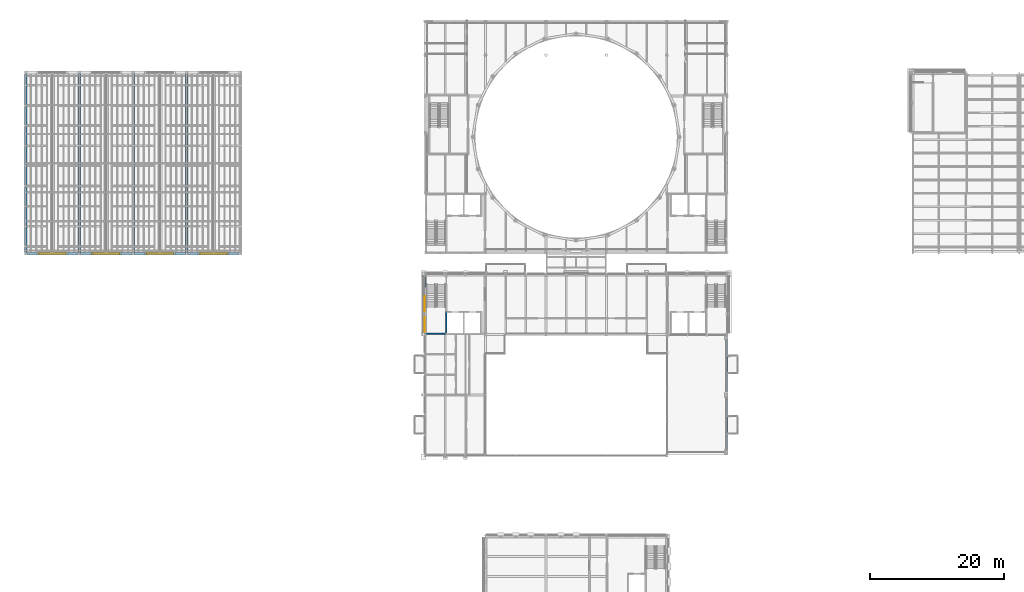
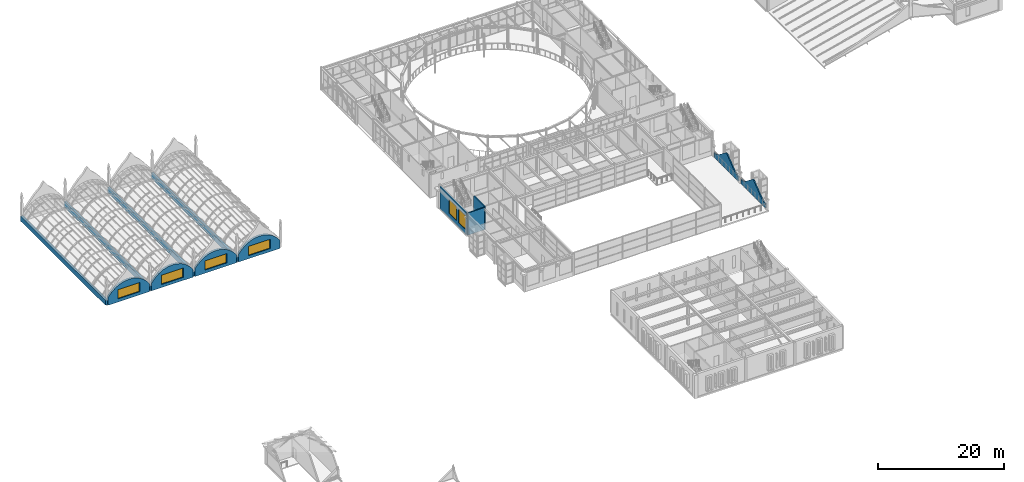
# One storey, part 68 of 111: 13 walls, 6 windows, 6 openings.
"""IFC4 building model written with IfcOpenShell, lengths in metres."""

from ifc_helpers import new_model, si_unit, direction, frame, frame_2d, origin, place, context, subcontext, project, spatial, polyline, rectangle, outline, extrude, material, layer, layer_set, type_object, element, fill, save


model = new_model("IFC4")

# Units and contexts
model_context = context("Model", 3, precision=1e-05, world=origin(), true_north=direction((0.0, 1.0)))
body_context = subcontext(model_context, "Body", "Model", "MODEL_VIEW")
ifc_project = project(units=[si_unit("LENGTHUNIT", "METRE"), si_unit("AREAUNIT", "SQUARE_METRE"), si_unit("VOLUMEUNIT", "CUBIC_METRE"), si_unit("PLANEANGLEUNIT", "RADIAN"), si_unit("MASSUNIT", "GRAM", prefix="KILO")], contexts=[model_context])

# Site, building, storey
site_placement = place(None, origin())
site = spatial("IfcSite", under=ifc_project, at=site_placement, CompositionType="ELEMENT")
building_placement = place(site_placement, origin())
building = spatial("IfcBuilding", under=site, at=building_placement, Name="Kallimachos Central Library", CompositionType="ELEMENT")
storey_placement = place(building_placement, frame((0.0, 0.0, 14.39990234375)))
storey = spatial("IfcBuildingStorey", under=building, at=storey_placement, Name="L03", CompositionType="ELEMENT", Elevation=14.39990234375)

# Walls
ifc_material_1 = material(Name="Concrete C30/37", Category="concrete")
ifc_layer_1 = layer(ifc_material_1, 0.39990234375)
ifc_layer_set_1 = layer_set([ifc_layer_1], Name="Concrete C30/37 upstand wall 400")
wall_type_1 = type_object("IfcWallType", Name="Concrete C30/37 upstand wall 400", PredefinedType="SOLIDWALL", material=ifc_layer_set_1)
for number, where, z_axis, x_axis, name in (
    (1, (6.0, 87.0, 0.0), (0.0, 0.0, 1.0), (0.0, 1.0, 0.0), "Vault upstand wall line 1"),
    (2, (14.0, 87.0, 0.0), (0.0, 0.0, 1.0), (0.0, 1.0, 0.0), "Vault upstand wall line 2"),
    (3, (22.0, 87.0, 0.0), (0.0, 0.0, 1.0), (0.0, 1.0, 0.0), "Vault upstand wall line 3"),
    (4, (30.0, 87.0, 0.0), (0.0, 0.0, 1.0), (0.0, 1.0, 0.0), "Vault upstand wall line 4"),
):
    element("IfcWall", number, at=place(storey_placement, frame(where, z_axis=z_axis, x_axis=x_axis)), inside=storey, type_object=wall_type_1, Name=name, PredefinedType="SOLIDWALL", context=body_context, shape_type="SweptSolid", body=[
        extrude(rectangle(XDim=27.0, YDim=0.39990234375, at=frame_2d((13.5, 0.0))), origin(), (0.0, 0.0, 1.0), 1.0),
    ])
ifc_material_2 = material(Name="Concrete C30/37", Category="concrete")
ifc_layer_2 = layer(ifc_material_2, 0.199951171875)
ifc_layer_set_2 = layer_set([ifc_layer_2], Name="Lift shaft wall 200")
wall_type_2 = type_object("IfcWallType", Name="Lift shaft wall 200", PredefinedType="SOLIDWALL", material=ifc_layer_set_2)
wall_1_placement = place(storey_placement, frame((68.64990234375, 75.0, 0.0), z_axis=(0.0, 0.0, 1.0), x_axis=(0.0, 1.0, 0.0)))
element("IfcWall", 5, at=wall_1_placement, inside=storey, type_object=wall_type_2, Name="V4-WAL-L03-003", PredefinedType="SOLIDWALL", context=body_context, shape_type="SweptSolid", body=[
    extrude(rectangle(XDim=3.39990234375, YDim=0.199951171875, at=frame_2d((1.699951171875, 0.0))), origin(), (0.0, 0.0, 1.0), 4.5),
])
ifc_material_3 = material(Name="Concrete C35/45", Category="concrete")
ifc_layer_3 = layer(ifc_material_3, 0.199951171875)
ifc_layer_set_3 = layer_set([ifc_layer_3], Name="Shear core wall 200, internal")
wall_type_3 = type_object("IfcWallType", Name="Shear core wall 200, internal", PredefinedType="SHEAR", material=ifc_layer_set_3)
wall_2_placement = place(storey_placement, frame((65.5, 75.10009765625, 0.0), z_axis=(0.0, 0.0, 1.0), x_axis=(1.0, 0.0, 0.0)))
element("IfcWall", 6, at=wall_2_placement, inside=storey, type_object=wall_type_3, Name="L03 core wall V4-NW S", PredefinedType="SHEAR", context=body_context, shape_type="SweptSolid", body=[
    extrude(rectangle(XDim=3.050048828125, YDim=0.199951171875, at=frame_2d((1.52490234375, 0.0))), origin(), (0.0, 0.0, 1.0), 4.300048828125),
])
ifc_material_4 = material(Name="Pentelic marble cladding on reinforced concrete C30/37", Category="masonry")
ifc_layer_4 = layer(ifc_material_4, 0.199951171875)
ifc_layer_set_4 = layer_set([ifc_layer_4], Name="Stone crown wall 200")
wall_type_4 = type_object("IfcWallType", Name="Stone crown wall 200", PredefinedType="PARAPET", material=ifc_layer_set_4)
for number, where, z_axis, x_axis, name in (
    (7, (110.39990234375, 57.85009765625, 0.0), (0.0, 0.0, 1.0), (0.0, 1.0, 0.0), "East wing roof edge crown 1"),
    (8, (110.39990234375, 66.39990234375, 0.0), (0.0, 0.0, 1.0), (0.0, 1.0, 0.0), "East wing roof edge crown 2"),
):
    element("IfcWall", number, at=place(storey_placement, frame(where, z_axis=z_axis, x_axis=x_axis)), inside=storey, type_object=wall_type_4, Name=name, PredefinedType="PARAPET", context=body_context, shape_type="SweptSolid", body=[
        extrude(outline(polyline([(0.0, 0.0), (7.75, 0.0), (7.75, 0.900146484375), (7.294189453125, 0.90966796875), (6.838134765625, 1.048095703125), (6.38232421875, 1.313232421875), (5.926513671875, 1.656005859375), (5.470703125, 2.02783203125), (5.0146484375, 2.380615234375), (4.558837890625, 2.70263671875), (4.102783203125, 3.102294921875), (3.647216796875, 3.102294921875), (3.191162109375, 2.70263671875), (2.7353515625, 2.380615234375), (2.279296875, 2.02783203125), (1.823486328125, 1.656005859375), (1.36767578125, 1.313232421875), (0.911865234375, 1.048095703125), (0.455810546875, 0.90966796875), (0.0, 0.900146484375), (0.0, 0.0)])), frame((0.0, 0.10009765625, 0.0), z_axis=(0.0, -1.0, 0.0), x_axis=(1.0, 0.0, 0.0)), (0.0, 0.0, 1.0), 0.199951171875),
    ])

# Wall, openings, windows
ifc_material_5 = material(Name="Brick masonry with Pentelic marble cladding", Category="masonry")
ifc_layer_5 = layer(ifc_material_5, 0.199951171875)
ifc_layer_set_5 = layer_set([ifc_layer_5], Name="Stone-clad masonry wall 200, load-bearing, EI 120")
wall_type_5 = type_object("IfcWallType", Name="Stone-clad masonry wall 200, load-bearing, EI 120", PredefinedType="SOLIDWALL", material=ifc_layer_set_5)
wall_3_placement = place(storey_placement, frame((65.446533203125, 75.216064453125, 0.0), z_axis=(0.0, 0.0, 1.0), x_axis=(0.0, 1.0, 0.0)))
wall_3 = element("IfcWall", 9, at=wall_3_placement, inside=storey, type_object=wall_type_5, Name="V4-WAL-L03-022", PredefinedType="SOLIDWALL", context=body_context, shape_type="SweptSolid", body=[
    extrude(rectangle(XDim=8.41796875, YDim=0.199951171875, at=frame_2d((4.208984375, 0.0))), origin(), (0.0, 0.0, 1.0), 4.300048828125),
])
opening_1_placement = place(wall_3_placement, frame((0.134033203125, 0.0, 0.89990234375)))
opening_1 = element("IfcOpeningElement", 10, at=opening_1_placement, cuts=wall_3, Name="Opening WN268", PredefinedType="OPENING", context=body_context, shape_type="SweptSolid", body=[
    extrude(rectangle(XDim=2.300048828125, YDim=2.699951171875, at=frame_2d((1.14990234375, 1.35009765625))), frame((0.0, 0.10986328125, 0.0), z_axis=(0.0, -1.0, 0.0), x_axis=(1.0, 0.0, 0.0)), (0.0, 0.0, 1.0), 0.219970703125),
])
opening_2_placement = place(wall_3_placement, frame((3.134033203125, 0.0, 0.89990234375)))
opening_2 = element("IfcOpeningElement", 11, at=opening_2_placement, cuts=wall_3, Name="Opening WN268", PredefinedType="OPENING", context=body_context, shape_type="SweptSolid", body=[
    extrude(rectangle(XDim=2.300048828125, YDim=2.699951171875, at=frame_2d((1.14990234375, 1.35009765625))), frame((0.0, 0.10986328125, 0.0), z_axis=(0.0, -1.0, 0.0), x_axis=(1.0, 0.0, 0.0)), (0.0, 0.0, 1.0), 0.219970703125),
])
ifc_material_6 = material(Name="Anodised aluminium and laminated glass", Category="aluminium")
window_type_1 = type_object("IfcWindowType", Name="Window 2300 x 2700, EI 120", PartitioningType="DOUBLE_PANEL_VERTICAL", PredefinedType="WINDOW", material=ifc_material_6)
window_1_placement = place(opening_1_placement, origin())
window_1 = element("IfcWindow", 12, at=window_1_placement, inside=storey, type_object=window_type_1, Name="V4-WIN-L03-021", OverallHeight=2.699951171875, OverallWidth=2.300048828125, PartitioningType="SINGLE_PANEL", PredefinedType="WINDOW", context=body_context, shape_type="SweptSolid", body=[
    extrude(rectangle(XDim=2.300048828125, YDim=2.699951171875, at=frame_2d((1.14990234375, 1.35009765625))), frame((0.0, 0.030029296875, 0.0), z_axis=(0.0, -1.0, 0.0), x_axis=(1.0, 0.0, 0.0)), (0.0, 0.0, 1.0), 0.06005859375),
])
fill(opening_1, window_1)
window_2_placement = place(opening_2_placement, origin())
window_2 = element("IfcWindow", 13, at=window_2_placement, inside=storey, type_object=window_type_1, Name="V4-WIN-L03-022", OverallHeight=2.699951171875, OverallWidth=2.300048828125, PartitioningType="SINGLE_PANEL", PredefinedType="WINDOW", context=body_context, shape_type="SweptSolid", body=[
    extrude(rectangle(XDim=2.300048828125, YDim=2.699951171875, at=frame_2d((1.14990234375, 1.35009765625))), frame((0.0, 0.030029296875, 0.0), z_axis=(0.0, -1.0, 0.0), x_axis=(1.0, 0.0, 0.0)), (0.0, 0.0, 1.0), 0.06005859375),
])
fill(opening_2, window_2)

# Wall, opening, window
ifc_material_7 = material(Name="Glazed ceramic tile on concrete C30/37", Category="concrete")
ifc_layer_6 = layer(ifc_material_7, 0.39990234375)
ifc_layer_set_6 = layer_set([ifc_layer_6], Name="Tympanum wall 400")
wall_type_6 = type_object("IfcWallType", Name="Tympanum wall 400", PredefinedType="SOLIDWALL", material=ifc_layer_set_6)
wall_4_placement = place(storey_placement, frame((6.199951171875, 87.0, 0.0), z_axis=(0.0, 0.0, 1.0), x_axis=(1.0, 0.0, 0.0)))
wall_4 = element("IfcWall", 14, at=wall_4_placement, inside=storey, type_object=wall_type_6, Name="Vault 1 gable", PredefinedType="SOLIDWALL", context=body_context, shape_type="SweptSolid", body=[
    extrude(outline(polyline([(0.0, 0.0), (7.60009765625, 0.0), (7.60009765625, 1.55029296875), (7.078369140625, 2.202392578125), (6.26708984375, 2.920166015625), (5.446533203125, 3.380615234375), (4.623291015625, 3.635498046875), (3.800048828125, 3.716796875), (2.9765625, 3.635498046875), (2.153564453125, 3.380615234375), (1.3330078125, 2.920166015625), (0.521728515625, 2.202392578125), (0.0, 1.55029296875), (0.0, 0.0)])), frame((0.0, 0.199951171875, 0.0), z_axis=(0.0, -1.0, 0.0), x_axis=(1.0, 0.0, 0.0)), (0.0, 0.0, 1.0), 0.39990234375),
])
opening_3_placement = place(wall_4_placement, frame((1.800048828125, 0.0, 0.60009765625)))
opening_3 = element("IfcOpeningElement", 15, at=opening_3_placement, cuts=wall_4, Name="Opening WN259", PredefinedType="OPENING", context=body_context, shape_type="SweptSolid", body=[
    extrude(rectangle(XDim=4.0, YDim=1.800048828125, at=frame_2d((2.0, 0.89990234375))), frame((0.0, 0.2099609375, 0.0), z_axis=(0.0, -1.0, 0.0), x_axis=(1.0, 0.0, 0.0)), (0.0, 0.0, 1.0), 0.419921875),
])
ifc_material_8 = material(Name="Laminated safety glass in painted steel frame", Category="steel")
window_type_2 = type_object("IfcWindowType", Name="Gable window 4000 x 1800", PartitioningType="DOUBLE_PANEL_VERTICAL", PredefinedType="WINDOW", material=ifc_material_8)
window_3_placement = place(opening_3_placement, origin())
window_3 = element("IfcWindow", 16, at=window_3_placement, inside=storey, type_object=window_type_2, Name="Vault gable window", OverallHeight=1.800048828125, OverallWidth=4.0, PartitioningType="SINGLE_PANEL", PredefinedType="WINDOW", context=body_context, shape_type="SweptSolid", body=[
    extrude(rectangle(XDim=4.0, YDim=1.800048828125, at=frame_2d((2.0, 0.89990234375))), frame((0.0, 0.030029296875, 0.0), z_axis=(0.0, -1.0, 0.0), x_axis=(1.0, 0.0, 0.0)), (0.0, 0.0, 1.0), 0.06005859375),
])
fill(opening_3, window_3)

wall_5_placement = place(storey_placement, frame((14.199951171875, 87.0, 0.0), z_axis=(0.0, 0.0, 1.0), x_axis=(1.0, 0.0, 0.0)))
wall_5 = element("IfcWall", 17, at=wall_5_placement, inside=storey, type_object=wall_type_6, Name="Vault 2 gable", PredefinedType="SOLIDWALL", context=body_context, shape_type="SweptSolid", body=[
    extrude(outline(polyline([(0.0, 0.0), (7.60009765625, 0.0), (7.60009765625, 1.55029296875), (7.078369140625, 2.202392578125), (6.26708984375, 2.920166015625), (5.446533203125, 3.380615234375), (4.623291015625, 3.635498046875), (3.800048828125, 3.716796875), (2.9765625, 3.635498046875), (2.153564453125, 3.380615234375), (1.3330078125, 2.920166015625), (0.521728515625, 2.202392578125), (0.0, 1.55029296875), (0.0, 0.0)])), frame((0.0, 0.199951171875, 0.0), z_axis=(0.0, -1.0, 0.0), x_axis=(1.0, 0.0, 0.0)), (0.0, 0.0, 1.0), 0.39990234375),
])
opening_4_placement = place(wall_5_placement, frame((1.800048828125, 0.0, 0.60009765625)))
opening_4 = element("IfcOpeningElement", 18, at=opening_4_placement, cuts=wall_5, Name="Opening WN261", PredefinedType="OPENING", context=body_context, shape_type="SweptSolid", body=[
    extrude(rectangle(XDim=4.0, YDim=1.800048828125, at=frame_2d((2.0, 0.89990234375))), frame((0.0, 0.2099609375, 0.0), z_axis=(0.0, -1.0, 0.0), x_axis=(1.0, 0.0, 0.0)), (0.0, 0.0, 1.0), 0.419921875),
])
window_4_placement = place(opening_4_placement, origin())
window_4 = element("IfcWindow", 19, at=window_4_placement, inside=storey, type_object=window_type_2, Name="Vault gable window", OverallHeight=1.800048828125, OverallWidth=4.0, PartitioningType="SINGLE_PANEL", PredefinedType="WINDOW", context=body_context, shape_type="SweptSolid", body=[
    extrude(rectangle(XDim=4.0, YDim=1.800048828125, at=frame_2d((2.0, 0.89990234375))), frame((0.0, 0.030029296875, 0.0), z_axis=(0.0, -1.0, 0.0), x_axis=(1.0, 0.0, 0.0)), (0.0, 0.0, 1.0), 0.06005859375),
])
fill(opening_4, window_4)

wall_6_placement = place(storey_placement, frame((22.199951171875, 87.0, 0.0), z_axis=(0.0, 0.0, 1.0), x_axis=(1.0, 0.0, 0.0)))
wall_6 = element("IfcWall", 20, at=wall_6_placement, inside=storey, type_object=wall_type_6, Name="Vault 3 gable", PredefinedType="SOLIDWALL", context=body_context, shape_type="SweptSolid", body=[
    extrude(outline(polyline([(0.0, 0.0), (7.60009765625, 0.0), (7.60009765625, 1.55029296875), (7.078369140625, 2.202392578125), (6.26708984375, 2.920166015625), (5.446533203125, 3.380615234375), (4.623291015625, 3.635498046875), (3.800048828125, 3.716796875), (2.9765625, 3.635498046875), (2.153564453125, 3.380615234375), (1.3330078125, 2.920166015625), (0.521728515625, 2.202392578125), (0.0, 1.55029296875), (0.0, 0.0)])), frame((0.0, 0.199951171875, 0.0), z_axis=(0.0, -1.0, 0.0), x_axis=(1.0, 0.0, 0.0)), (0.0, 0.0, 1.0), 0.39990234375),
])
opening_5_placement = place(wall_6_placement, frame((1.800048828125, 0.0, 0.60009765625)))
opening_5 = element("IfcOpeningElement", 21, at=opening_5_placement, cuts=wall_6, Name="Opening WN263", PredefinedType="OPENING", context=body_context, shape_type="SweptSolid", body=[
    extrude(rectangle(XDim=4.0, YDim=1.800048828125, at=frame_2d((2.0, 0.89990234375))), frame((0.0, 0.2099609375, 0.0), z_axis=(0.0, -1.0, 0.0), x_axis=(1.0, 0.0, 0.0)), (0.0, 0.0, 1.0), 0.419921875),
])
window_5_placement = place(opening_5_placement, origin())
window_5 = element("IfcWindow", 22, at=window_5_placement, inside=storey, type_object=window_type_2, Name="Vault gable window", OverallHeight=1.800048828125, OverallWidth=4.0, PartitioningType="SINGLE_PANEL", PredefinedType="WINDOW", context=body_context, shape_type="SweptSolid", body=[
    extrude(rectangle(XDim=4.0, YDim=1.800048828125, at=frame_2d((2.0, 0.89990234375))), frame((0.0, 0.030029296875, 0.0), z_axis=(0.0, -1.0, 0.0), x_axis=(1.0, 0.0, 0.0)), (0.0, 0.0, 1.0), 0.06005859375),
])
fill(opening_5, window_5)

wall_7_placement = place(storey_placement, frame((30.199951171875, 87.0, 0.0), z_axis=(0.0, 0.0, 1.0), x_axis=(1.0, 0.0, 0.0)))
wall_7 = element("IfcWall", 23, at=wall_7_placement, inside=storey, type_object=wall_type_6, Name="Vault 4 gable", PredefinedType="SOLIDWALL", context=body_context, shape_type="SweptSolid", body=[
    extrude(outline(polyline([(0.0, 0.0), (7.60009765625, 0.0), (7.60009765625, 1.55029296875), (7.078369140625, 2.202392578125), (6.26708984375, 2.920166015625), (5.446533203125, 3.380615234375), (4.623291015625, 3.635498046875), (3.800048828125, 3.716796875), (2.9765625, 3.635498046875), (2.153564453125, 3.380615234375), (1.3330078125, 2.920166015625), (0.521728515625, 2.202392578125), (0.0, 1.55029296875), (0.0, 0.0)])), frame((0.0, 0.199951171875, 0.0), z_axis=(0.0, -1.0, 0.0), x_axis=(1.0, 0.0, 0.0)), (0.0, 0.0, 1.0), 0.39990234375),
])
opening_6_placement = place(wall_7_placement, frame((1.800048828125, 0.0, 0.60009765625)))
opening_6 = element("IfcOpeningElement", 24, at=opening_6_placement, cuts=wall_7, Name="Opening WN265", PredefinedType="OPENING", context=body_context, shape_type="SweptSolid", body=[
    extrude(rectangle(XDim=4.0, YDim=1.800048828125, at=frame_2d((2.0, 0.89990234375))), frame((0.0, 0.2099609375, 0.0), z_axis=(0.0, -1.0, 0.0), x_axis=(1.0, 0.0, 0.0)), (0.0, 0.0, 1.0), 0.419921875),
])
window_6_placement = place(opening_6_placement, origin())
window_6 = element("IfcWindow", 25, at=window_6_placement, inside=storey, type_object=window_type_2, Name="Vault gable window", OverallHeight=1.800048828125, OverallWidth=4.0, PartitioningType="SINGLE_PANEL", PredefinedType="WINDOW", context=body_context, shape_type="SweptSolid", body=[
    extrude(rectangle(XDim=4.0, YDim=1.800048828125, at=frame_2d((2.0, 0.89990234375))), frame((0.0, 0.030029296875, 0.0), z_axis=(0.0, -1.0, 0.0), x_axis=(1.0, 0.0, 0.0)), (0.0, 0.0, 1.0), 0.06005859375),
])
fill(opening_6, window_6)

save(model, "model.ifc")
